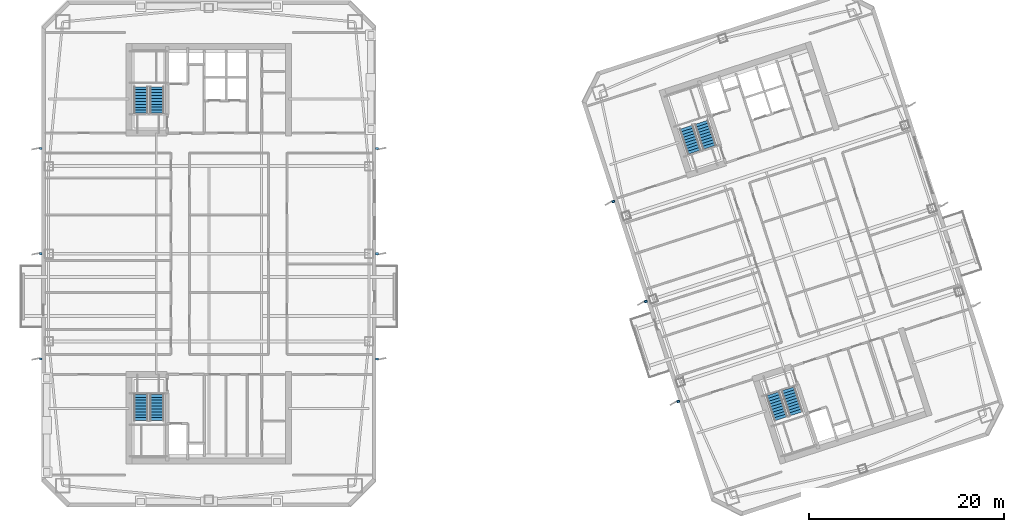
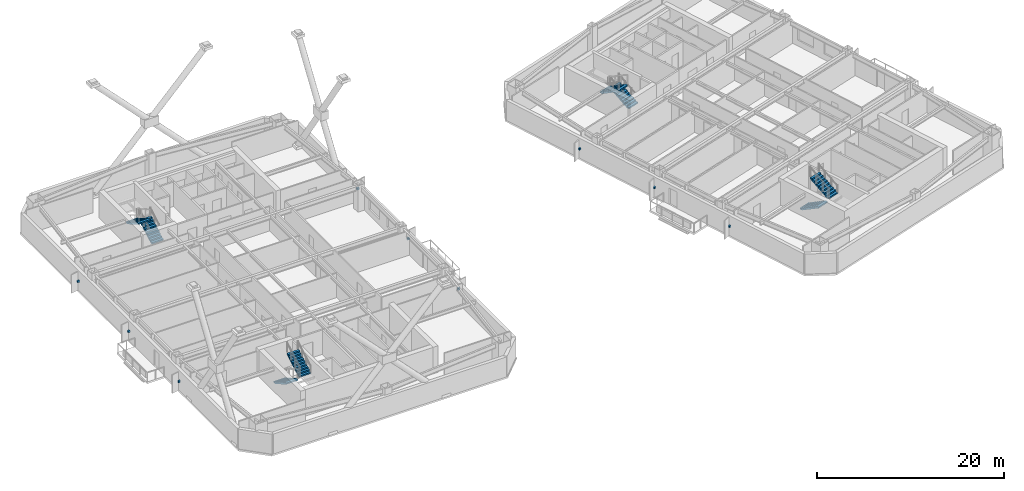
# One storey, part 12 of 18: 9 discrete accessories, 8 stair flights, 4 elements without a shape of their own.
"""IFC4 building model written with IfcOpenShell, lengths in metres."""

from ifc_helpers import new_model, si_unit, direction, frame, origin, origin_2d, place, context, subcontext, project, spatial, polyline, rectangle, outline, extrude, material, type_object, element, aggregate, save


model = new_model("IFC4")

# Units and contexts
model_context = context("Model", 3, precision=1e-05, world=origin(), true_north=direction((0.0, 1.0)))
body_context = subcontext(model_context, "Body", "Model", "MODEL_VIEW")
ifc_project = project(units=[si_unit("LENGTHUNIT", "METRE"), si_unit("AREAUNIT", "SQUARE_METRE"), si_unit("VOLUMEUNIT", "CUBIC_METRE"), si_unit("PLANEANGLEUNIT", "RADIAN"), si_unit("MASSUNIT", "GRAM", prefix="KILO")], contexts=[model_context])

# Site, building, storey
site_placement = place(None, origin())
site = spatial("IfcSite", under=ifc_project, at=site_placement, CompositionType="ELEMENT")
building_placement = place(site_placement, origin())
building = spatial("IfcBuilding", under=site, at=building_placement, Name="Qiaolan Cultural Towers", CompositionType="ELEMENT")
storey_placement = place(building_placement, frame((0.0, 0.0, 173.64990234375)))
storey = spatial("IfcBuildingStorey", under=building, at=storey_placement, Name="L46", CompositionType="ELEMENT", Elevation=173.64990234375)

# Stair, stair flights
ifc_material_1 = material(Name="Concrete C45", Category="concrete")
stair_type = type_object("IfcStairType", Name="STR-CORE-1500", PredefinedType="HALF_TURN_STAIR", material=ifc_material_1)
stair_1_placement = place(storey_placement, origin())
stair_1 = element("IfcStair", 1, at=stair_1_placement, inside=storey, type_object=stair_type, Name="L46 Smokeproof Exit Stair ST-W1", PredefinedType="HALF_TURN_STAIR")
ifc_material_2 = material(Name="Concrete C45", Category="concrete")
stair_flight_type = type_object("IfcStairFlightType", Name="STR-CORE-1500-FL", PredefinedType="STRAIGHT", material=ifc_material_2)
stair_flight_1_placement = place(storey_placement, frame((23.02001953125, 19.550048828125, 0.0), z_axis=(0.0, 0.0, 1.0), x_axis=(0.0, -1.0, 0.0)))
stair_flight_1 = element("IfcStairFlight", 2, at=stair_flight_1_placement, type_object=stair_flight_type, Name="ST-W1 flight 1", NumberOfRisers=10, NumberOfTreads=9, PredefinedType="STRAIGHT", RiserHeight=0.1725, TreadLength=0.3, context=body_context, shape_type="SweptSolid", body=[
    extrude(outline(polyline([(0.0, 0.0), (0.0, 0.172607421875), (0.300048828125, 0.172607421875), (0.300048828125, 0.344970703125), (0.60009765625, 0.344970703125), (0.60009765625, 0.517578125), (0.89990234375, 0.517578125), (0.89990234375, 0.68994140625), (1.199951171875, 0.68994140625), (1.199951171875, 0.862548828125), (1.5, 0.862548828125), (1.5, 1.034912109375), (1.800048828125, 1.034912109375), (1.800048828125, 1.20751953125), (2.10009765625, 1.20751953125), (2.10009765625, 1.3798828125), (2.39990234375, 1.3798828125), (2.39990234375, 1.552490234375), (2.699951171875, 1.552490234375), (2.699951171875, 1.72509765625), (2.699951171875, 1.379638671875), (0.30078125, 0.0), (0.0, 0.0)])), frame((0.0, 0.719970703125, 0.0), z_axis=(0.0, -1.0, 0.0), x_axis=(1.0, 0.0, 0.0)), (0.0, 0.0, 1.0), 1.43994140625),
])
stair_flight_2_placement = place(storey_placement, frame((24.659912109375, 16.85009765625, 1.72509765625), z_axis=(0.0, 0.0, 1.0), x_axis=(0.0, 1.0, 0.0)))
stair_flight_2 = element("IfcStairFlight", 3, at=stair_flight_2_placement, type_object=stair_flight_type, Name="ST-W1 flight 2", NumberOfRisers=10, NumberOfTreads=9, PredefinedType="STRAIGHT", RiserHeight=0.1725, TreadLength=0.3, context=body_context, shape_type="SweptSolid", body=[
    extrude(outline(polyline([(0.0, 0.0), (0.0, 0.172607421875), (0.300048828125, 0.172607421875), (0.300048828125, 0.344970703125), (0.60009765625, 0.344970703125), (0.60009765625, 0.517578125), (0.89990234375, 0.517578125), (0.89990234375, 0.68994140625), (1.199951171875, 0.68994140625), (1.199951171875, 0.862548828125), (1.5, 0.862548828125), (1.5, 1.034912109375), (1.800048828125, 1.034912109375), (1.800048828125, 1.20751953125), (2.10009765625, 1.20751953125), (2.10009765625, 1.3798828125), (2.39990234375, 1.3798828125), (2.39990234375, 1.552490234375), (2.699951171875, 1.552490234375), (2.699951171875, 1.72509765625), (2.699951171875, 1.379638671875), (0.30078125, 0.0), (0.0, 0.0)])), frame((0.0, 0.719970703125, 0.0), z_axis=(0.0, -1.0, 0.0), x_axis=(1.0, 0.0, 0.0)), (0.0, 0.0, 1.0), 1.43994140625),
])
aggregate(stair_1, [stair_flight_1, stair_flight_2])

stair_2_placement = place(storey_placement, origin())
stair_2 = element("IfcStair", 4, at=stair_2_placement, inside=storey, type_object=stair_type, Name="L46 Smokeproof Exit Stair ST-W2", PredefinedType="HALF_TURN_STAIR")
stair_flight_3_placement = place(storey_placement, frame((24.659912109375, 48.449951171875, 0.0), z_axis=(0.0, 0.0, 1.0), x_axis=(0.0, 1.0, 0.0)))
stair_flight_3 = element("IfcStairFlight", 5, at=stair_flight_3_placement, type_object=stair_flight_type, Name="ST-W2 flight 1", NumberOfRisers=10, NumberOfTreads=9, PredefinedType="STRAIGHT", RiserHeight=0.1725, TreadLength=0.3, context=body_context, shape_type="SweptSolid", body=[
    extrude(outline(polyline([(0.0, 0.0), (0.0, 0.172607421875), (0.300048828125, 0.172607421875), (0.300048828125, 0.344970703125), (0.60009765625, 0.344970703125), (0.60009765625, 0.517578125), (0.89990234375, 0.517578125), (0.89990234375, 0.68994140625), (1.199951171875, 0.68994140625), (1.199951171875, 0.862548828125), (1.5, 0.862548828125), (1.5, 1.034912109375), (1.800048828125, 1.034912109375), (1.800048828125, 1.20751953125), (2.10009765625, 1.20751953125), (2.10009765625, 1.3798828125), (2.39990234375, 1.3798828125), (2.39990234375, 1.552490234375), (2.699951171875, 1.552490234375), (2.699951171875, 1.72509765625), (2.699951171875, 1.379638671875), (0.30078125, 0.0), (0.0, 0.0)])), frame((0.0, 0.719970703125, 0.0), z_axis=(0.0, -1.0, 0.0), x_axis=(1.0, 0.0, 0.0)), (0.0, 0.0, 1.0), 1.43994140625),
])
stair_flight_4_placement = place(storey_placement, frame((23.02001953125, 51.14990234375, 1.72509765625), z_axis=(0.0, 0.0, 1.0), x_axis=(0.0, -1.0, 0.0)))
stair_flight_4 = element("IfcStairFlight", 6, at=stair_flight_4_placement, type_object=stair_flight_type, Name="ST-W2 flight 2", NumberOfRisers=10, NumberOfTreads=9, PredefinedType="STRAIGHT", RiserHeight=0.1725, TreadLength=0.3, context=body_context, shape_type="SweptSolid", body=[
    extrude(outline(polyline([(0.0, 0.0), (0.0, 0.172607421875), (0.300048828125, 0.172607421875), (0.300048828125, 0.344970703125), (0.60009765625, 0.344970703125), (0.60009765625, 0.517578125), (0.89990234375, 0.517578125), (0.89990234375, 0.68994140625), (1.199951171875, 0.68994140625), (1.199951171875, 0.862548828125), (1.5, 0.862548828125), (1.5, 1.034912109375), (1.800048828125, 1.034912109375), (1.800048828125, 1.20751953125), (2.10009765625, 1.20751953125), (2.10009765625, 1.3798828125), (2.39990234375, 1.3798828125), (2.39990234375, 1.552490234375), (2.699951171875, 1.552490234375), (2.699951171875, 1.72509765625), (2.699951171875, 1.379638671875), (0.30078125, 0.0), (0.0, 0.0)])), frame((0.0, 0.719970703125, 0.0), z_axis=(0.0, -1.0, 0.0), x_axis=(1.0, 0.0, 0.0)), (0.0, 0.0, 1.0), 1.43994140625),
])
aggregate(stair_2, [stair_flight_3, stair_flight_4])

stair_3_placement = place(storey_placement, origin())
stair_3 = element("IfcStair", 7, at=stair_3_placement, inside=storey, type_object=stair_type, Name="L46 Smokeproof Exit Stair ST-E1", PredefinedType="HALF_TURN_STAIR")
stair_flight_5_placement = place(storey_placement, frame((87.96484375, 19.6171875, 0.0), z_axis=(0.0, 0.0, 1.0), x_axis=(0.309016994375, -0.951056516295, 0.0)))
stair_flight_5 = element("IfcStairFlight", 8, at=stair_flight_5_placement, type_object=stair_flight_type, Name="ST-E1 flight 1", NumberOfRisers=10, NumberOfTreads=9, PredefinedType="STRAIGHT", RiserHeight=0.1725, TreadLength=0.3, context=body_context, shape_type="SweptSolid", body=[
    extrude(outline(polyline([(0.0, 0.0), (0.0, 0.172607421875), (0.300048828125, 0.172607421875), (0.300048828125, 0.344970703125), (0.60009765625, 0.344970703125), (0.60009765625, 0.517578125), (0.89990234375, 0.517578125), (0.89990234375, 0.68994140625), (1.199951171875, 0.68994140625), (1.199951171875, 0.862548828125), (1.5, 0.862548828125), (1.5, 1.034912109375), (1.800048828125, 1.034912109375), (1.800048828125, 1.20751953125), (2.10009765625, 1.20751953125), (2.10009765625, 1.3798828125), (2.39990234375, 1.3798828125), (2.39990234375, 1.552490234375), (2.699951171875, 1.552490234375), (2.699951171875, 1.72509765625), (2.699951171875, 1.379638671875), (0.30078125, 0.0), (0.0, 0.0)])), frame((0.0, 0.719970703125, 0.0), z_axis=(0.0, -1.0, 0.0), x_axis=(1.0, 0.0, 0.0)), (0.0, 0.0, 1.0), 1.43994140625),
])
stair_flight_6_placement = place(storey_placement, frame((90.359130859375, 17.55615234375, 1.72509765625), z_axis=(0.0, 0.0, 1.0), x_axis=(-0.309016994375, 0.951056516295, 0.0)))
stair_flight_6 = element("IfcStairFlight", 9, at=stair_flight_6_placement, type_object=stair_flight_type, Name="ST-E1 flight 2", NumberOfRisers=10, NumberOfTreads=9, PredefinedType="STRAIGHT", RiserHeight=0.1725, TreadLength=0.3, context=body_context, shape_type="SweptSolid", body=[
    extrude(outline(polyline([(0.0, 0.0), (0.0, 0.172607421875), (0.300048828125, 0.172607421875), (0.300048828125, 0.344970703125), (0.60009765625, 0.344970703125), (0.60009765625, 0.517578125), (0.89990234375, 0.517578125), (0.89990234375, 0.68994140625), (1.199951171875, 0.68994140625), (1.199951171875, 0.862548828125), (1.5, 0.862548828125), (1.5, 1.034912109375), (1.800048828125, 1.034912109375), (1.800048828125, 1.20751953125), (2.10009765625, 1.20751953125), (2.10009765625, 1.3798828125), (2.39990234375, 1.3798828125), (2.39990234375, 1.552490234375), (2.699951171875, 1.552490234375), (2.699951171875, 1.72509765625), (2.699951171875, 1.379638671875), (0.30078125, 0.0), (0.0, 0.0)])), frame((0.0, 0.719970703125, 0.0), z_axis=(0.0, -1.0, 0.0), x_axis=(1.0, 0.0, 0.0)), (0.0, 0.0, 1.0), 1.43994140625),
])
aggregate(stair_3, [stair_flight_5, stair_flight_6])

stair_4_placement = place(storey_placement, origin())
stair_4 = element("IfcStair", 10, at=stair_4_placement, inside=storey, type_object=stair_type, Name="L46 Smokeproof Exit Stair ST-E2", PredefinedType="HALF_TURN_STAIR")
stair_flight_7_placement = place(storey_placement, frame((81.459228515625, 44.946533203125, 0.0), z_axis=(0.0, 0.0, 1.0), x_axis=(-0.309016994375, 0.951056516295, 0.0)))
stair_flight_7 = element("IfcStairFlight", 11, at=stair_flight_7_placement, type_object=stair_flight_type, Name="ST-E2 flight 1", NumberOfRisers=10, NumberOfTreads=9, PredefinedType="STRAIGHT", RiserHeight=0.1725, TreadLength=0.3, context=body_context, shape_type="SweptSolid", body=[
    extrude(outline(polyline([(0.0, 0.0), (0.0, 0.172607421875), (0.300048828125, 0.172607421875), (0.300048828125, 0.344970703125), (0.60009765625, 0.344970703125), (0.60009765625, 0.517578125), (0.89990234375, 0.517578125), (0.89990234375, 0.68994140625), (1.199951171875, 0.68994140625), (1.199951171875, 0.862548828125), (1.5, 0.862548828125), (1.5, 1.034912109375), (1.800048828125, 1.034912109375), (1.800048828125, 1.20751953125), (2.10009765625, 1.20751953125), (2.10009765625, 1.3798828125), (2.39990234375, 1.3798828125), (2.39990234375, 1.552490234375), (2.699951171875, 1.552490234375), (2.699951171875, 1.72509765625), (2.699951171875, 1.379638671875), (0.30078125, 0.0), (0.0, 0.0)])), frame((0.0, 0.719970703125, 0.0), z_axis=(0.0, -1.0, 0.0), x_axis=(1.0, 0.0, 0.0)), (0.0, 0.0, 1.0), 1.43994140625),
])
stair_flight_8_placement = place(storey_placement, frame((79.065185546875, 47.007568359375, 1.72509765625), z_axis=(0.0, 0.0, 1.0), x_axis=(0.309016994375, -0.951056516295, 0.0)))
stair_flight_8 = element("IfcStairFlight", 12, at=stair_flight_8_placement, type_object=stair_flight_type, Name="ST-E2 flight 2", NumberOfRisers=10, NumberOfTreads=9, PredefinedType="STRAIGHT", RiserHeight=0.1725, TreadLength=0.3, context=body_context, shape_type="SweptSolid", body=[
    extrude(outline(polyline([(0.0, 0.0), (0.0, 0.172607421875), (0.300048828125, 0.172607421875), (0.300048828125, 0.344970703125), (0.60009765625, 0.344970703125), (0.60009765625, 0.517578125), (0.89990234375, 0.517578125), (0.89990234375, 0.68994140625), (1.199951171875, 0.68994140625), (1.199951171875, 0.862548828125), (1.5, 0.862548828125), (1.5, 1.034912109375), (1.800048828125, 1.034912109375), (1.800048828125, 1.20751953125), (2.10009765625, 1.20751953125), (2.10009765625, 1.3798828125), (2.39990234375, 1.3798828125), (2.39990234375, 1.552490234375), (2.699951171875, 1.552490234375), (2.699951171875, 1.72509765625), (2.699951171875, 1.379638671875), (0.30078125, 0.0), (0.0, 0.0)])), frame((0.0, 0.719970703125, 0.0), z_axis=(0.0, -1.0, 0.0), x_axis=(1.0, 0.0, 0.0)), (0.0, 0.0, 1.0), 1.43994140625),
])
aggregate(stair_4, [stair_flight_7, stair_flight_8])

# Discrete accessories
ifc_material_3 = material(Name="Stainless Steel S31608 Facade Anchor Bracket", Category="steel")
discrete_accessory_type = type_object("IfcDiscreteAccessoryType", Name="ACC-BRK-SS", PredefinedType="BRACKET", material=ifc_material_3)
for number, where, z_axis, x_axis, name in (
    (13, (12.719970703125, 23.199951171875, 1.18505859375), (0.0, 0.0, 1.0), (1.0, 0.0, 0.0), "L46 T1 Facade Fin Anchor Bracket W1"),
    (14, (12.719970703125, 34.0, 1.18505859375), (0.0, 0.0, 1.0), (1.0, 0.0, 0.0), "L46 T1 Facade Fin Anchor Bracket W2"),
    (15, (12.719970703125, 44.800048828125, 1.18505859375), (0.0, 0.0, 1.0), (1.0, 0.0, 0.0), "L46 T1 Facade Fin Anchor Bracket W3"),
    (16, (47.280029296875, 23.199951171875, 1.18505859375), (0.0, 0.0, 1.0), (1.0, 0.0, 0.0), "L46 T1 Facade Fin Anchor Bracket E1"),
    (17, (47.280029296875, 34.0, 1.18505859375), (0.0, 0.0, 1.0), (1.0, 0.0, 0.0), "L46 T1 Facade Fin Anchor Bracket E2"),
    (18, (47.280029296875, 44.800048828125, 1.18505859375), (0.0, 0.0, 1.0), (1.0, 0.0, 0.0), "L46 T1 Facade Fin Anchor Bracket E3"),
    (19, (78.234619140625, 18.8212890625, 1.18505859375), (0.0, 0.0, 1.0), (0.951056516295, 0.309016994375, 0.0), "L46 T2 Facade Fin Anchor Bracket W1"),
    (20, (74.897216796875, 29.0927734375, 1.18505859375), (0.0, 0.0, 1.0), (0.951056516295, 0.309016994375, 0.0), "L46 T2 Facade Fin Anchor Bracket W2"),
    (21, (71.559814453125, 39.3642578125, 1.18505859375), (0.0, 0.0, 1.0), (0.951056516295, 0.309016994375, 0.0), "L46 T2 Facade Fin Anchor Bracket W3"),
):
    element("IfcDiscreteAccessory", number, at=place(storey_placement, frame(where, z_axis=z_axis, x_axis=x_axis)), inside=storey, type_object=discrete_accessory_type, Name=name, PredefinedType="BRACKET", context=body_context, shape_type="SweptSolid", body=[
        extrude(rectangle(XDim=0.280029296875, YDim=0.219970703125, at=origin_2d()), origin(), (0.0, 0.0, 1.0), 0.239990234375),
    ])

save(model, "model.ifc")
